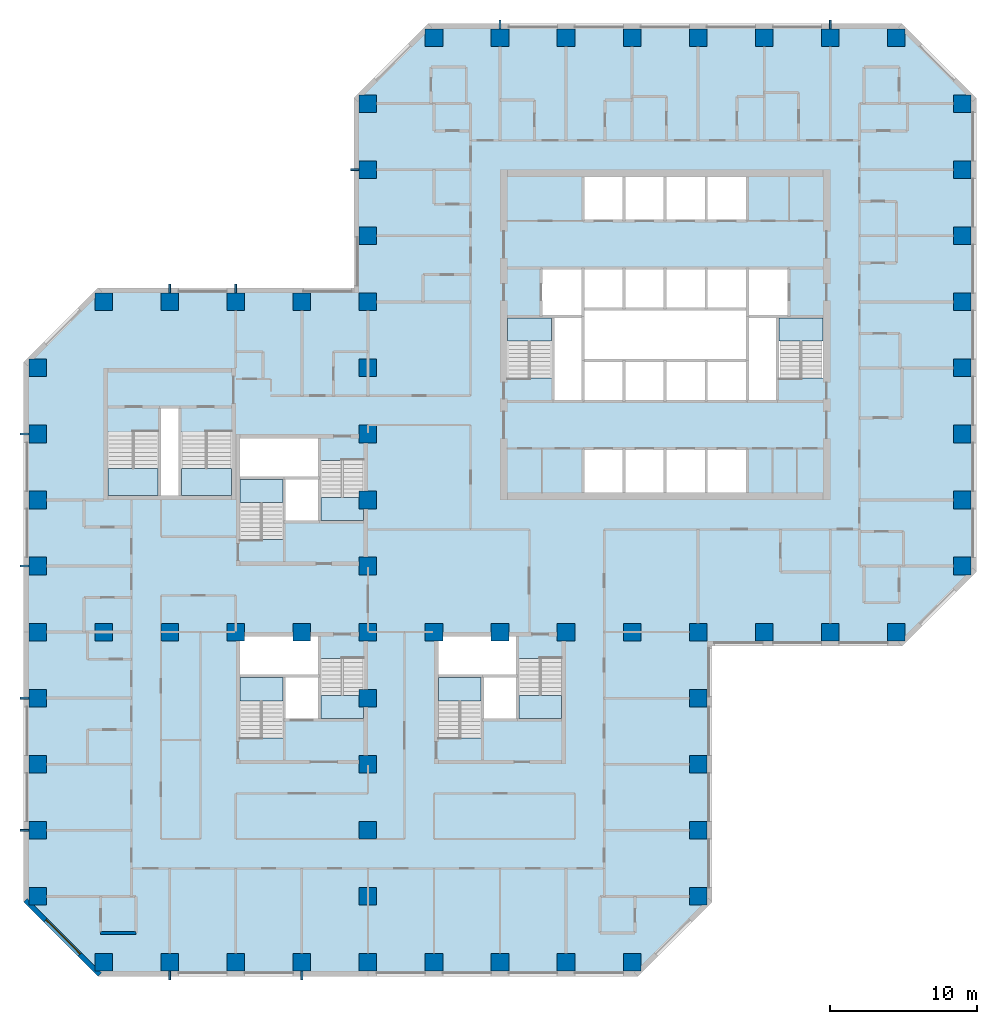
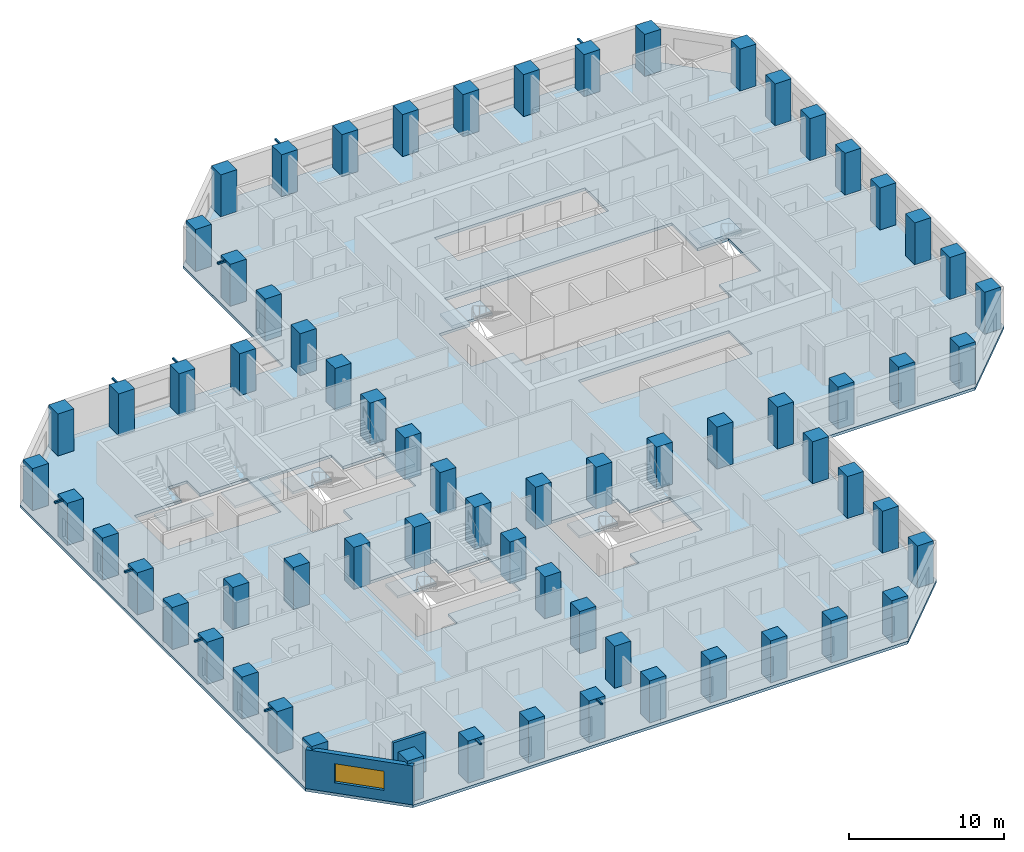
# One storey, part 1 of 13: 67 columns, 11 beams, 11 slabs, 2 walls, 1 window, 1 opening, 10 elements without a shape of their own.
"""IFC4 building model written with IfcOpenShell, lengths in metres."""

from ifc_helpers import new_model, si_unit, direction, frame, frame_2d, origin, origin_2d, place, context, subcontext, project, spatial, polyline, rectangle, hollow_rectangle, outline, extrude, material, layer, layer_set, constituent, constituent_set, material_profile, profile_set, type_object, element, fill, aggregate, save


model = new_model("IFC4")

# Units and contexts
model_context = context("Model", 3, precision=1e-05, world=origin(), true_north=direction((0.0, 1.0)))
body_context = subcontext(model_context, "Body", "Model", "MODEL_VIEW")
ifc_project = project(units=[si_unit("LENGTHUNIT", "METRE"), si_unit("AREAUNIT", "SQUARE_METRE"), si_unit("VOLUMEUNIT", "CUBIC_METRE"), si_unit("PLANEANGLEUNIT", "RADIAN"), si_unit("MASSUNIT", "GRAM", prefix="KILO")], contexts=[model_context])

# Site, building, storey
site_placement = place(None, origin())
site = spatial("IfcSite", under=ifc_project, at=site_placement, CompositionType="ELEMENT")
building_placement = place(site_placement, origin())
building = spatial("IfcBuilding", under=site, at=building_placement, Name="Quoin Convention Tower", CompositionType="ELEMENT")
storey_placement = place(building_placement, frame((0.0, 0.0, 23.10009765625)))
storey = spatial("IfcBuildingStorey", under=building, at=storey_placement, Name="L04", CompositionType="ELEMENT", Elevation=23.10009765625)

# Columns
ifc_material_1 = material(Name="Concrete C80", Category="concrete")
ifc_material_profile_1 = material_profile(ifc_material_1, rectangle(XDim=1.199951171875, YDim=1.199951171875, at=origin_2d()), Name="RC 1200x1200")
ifc_profile_set_1 = profile_set([ifc_material_profile_1], Name="Concrete C80")
column_type = type_object("IfcColumnType", Name="RC 1200x1200 C80", PredefinedType="COLUMN", material=ifc_profile_set_1)
for number, where, z_axis, x_axis, name in (
    (1, (18.0, 18.0, 0.0), (0.0, 0.0, 1.0), (1.0, 0.0, 0.0), "col-L04-18000_18000"),
    (2, (22.5, 18.0, 0.0), (0.0, 0.0, 1.0), (1.0, 0.0, 0.0), "col-L04-22500_18000"),
    (3, (27.0, 18.0, 0.0), (0.0, 0.0, 1.0), (1.0, 0.0, 0.0), "col-L04-27000_18000"),
    (4, (31.5, 18.0, 0.0), (0.0, 0.0, 1.0), (1.0, 0.0, 0.0), "col-L04-31500_18000"),
    (5, (36.0, 18.0, 0.0), (0.0, 0.0, 1.0), (1.0, 0.0, 0.0), "col-L04-36000_18000"),
    (6, (40.5, 18.0, 0.0), (0.0, 0.0, 1.0), (1.0, 0.0, 0.0), "col-L04-40500_18000"),
    (7, (45.0, 18.0, 0.0), (0.0, 0.0, 1.0), (1.0, 0.0, 0.0), "col-L04-45000_18000"),
    (8, (49.5, 18.0, 0.0), (0.0, 0.0, 1.0), (1.0, 0.0, 0.0), "col-L04-49500_18000"),
    (9, (54.0, 18.0, 0.0), (0.0, 0.0, 1.0), (1.0, 0.0, 0.0), "col-L04-54000_18000"),
    (10, (13.5, 22.5, 0.0), (0.0, 0.0, 1.0), (1.0, 0.0, 0.0), "col-L04-13500_22500"),
    (11, (36.0, 22.5, 0.0), (0.0, 0.0, 1.0), (1.0, 0.0, 0.0), "web-L04-36000_22500"),
    (12, (58.5, 22.5, 0.0), (0.0, 0.0, 1.0), (1.0, 0.0, 0.0), "col-L04-58500_22500"),
    (13, (13.5, 27.0, 0.0), (0.0, 0.0, 1.0), (1.0, 0.0, 0.0), "col-L04-13500_27000"),
    (14, (36.0, 27.0, 0.0), (0.0, 0.0, 1.0), (1.0, 0.0, 0.0), "web-L04-36000_27000"),
    (15, (58.5, 27.0, 0.0), (0.0, 0.0, 1.0), (1.0, 0.0, 0.0), "col-L04-58500_27000"),
    (16, (13.5, 31.5, 0.0), (0.0, 0.0, 1.0), (1.0, 0.0, 0.0), "col-L04-13500_31500"),
    (17, (36.0, 31.5, 0.0), (0.0, 0.0, 1.0), (1.0, 0.0, 0.0), "web-L04-36000_31500"),
    (18, (58.5, 31.5, 0.0), (0.0, 0.0, 1.0), (1.0, 0.0, 0.0), "col-L04-58500_31500"),
    (19, (13.5, 36.0, 0.0), (0.0, 0.0, 1.0), (1.0, 0.0, 0.0), "col-L04-13500_36000"),
    (20, (36.0, 36.0, 0.0), (0.0, 0.0, 1.0), (1.0, 0.0, 0.0), "web-L04-36000_36000"),
    (21, (58.5, 36.0, 0.0), (0.0, 0.0, 1.0), (1.0, 0.0, 0.0), "col-L04-58500_36000"),
    (22, (13.5, 40.5, 0.0), (0.0, 0.0, 1.0), (1.0, 0.0, 0.0), "col-L04-13500_40500"),
    (23, (18.0, 40.5, 0.0), (0.0, 0.0, 1.0), (1.0, 0.0, 0.0), "web-L04-18000_40500"),
    (24, (22.5, 40.5, 0.0), (0.0, 0.0, 1.0), (1.0, 0.0, 0.0), "web-L04-22500_40500"),
    (25, (27.0, 40.5, 0.0), (0.0, 0.0, 1.0), (1.0, 0.0, 0.0), "web-L04-27000_40500"),
    (26, (31.5, 40.5, 0.0), (0.0, 0.0, 1.0), (1.0, 0.0, 0.0), "web-L04-31500_40500"),
    (27, (36.0, 40.5, 0.0), (0.0, 0.0, 1.0), (1.0, 0.0, 0.0), "web-L04-36000_40500"),
    (28, (40.5, 40.5, 0.0), (0.0, 0.0, 1.0), (1.0, 0.0, 0.0), "web-L04-40500_40500"),
    (29, (45.0, 40.5, 0.0), (0.0, 0.0, 1.0), (1.0, 0.0, 0.0), "web-L04-45000_40500"),
    (30, (49.5, 40.5, 0.0), (0.0, 0.0, 1.0), (1.0, 0.0, 0.0), "web-L04-49500_40500"),
    (31, (54.0, 40.5, 0.0), (0.0, 0.0, 1.0), (1.0, 0.0, 0.0), "web-L04-54000_40500"),
    (32, (58.5, 40.5, 0.0), (0.0, 0.0, 1.0), (1.0, 0.0, 0.0), "col-L04-58500_40500"),
    (33, (63.0, 40.5, 0.0), (0.0, 0.0, 1.0), (1.0, 0.0, 0.0), "col-L04-63000_40500"),
    (34, (67.5, 40.5, 0.0), (0.0, 0.0, 1.0), (1.0, 0.0, 0.0), "col-L04-67500_40500"),
    (35, (72.0, 40.5, 0.0), (0.0, 0.0, 1.0), (1.0, 0.0, 0.0), "col-L04-72000_40500"),
    (36, (13.5, 45.0, 0.0), (0.0, 0.0, 1.0), (1.0, 0.0, 0.0), "col-L04-13500_45000"),
    (37, (36.0, 45.0, 0.0), (0.0, 0.0, 1.0), (1.0, 0.0, 0.0), "web-L04-36000_45000"),
    (38, (76.5, 45.0, 0.0), (0.0, 0.0, 1.0), (1.0, 0.0, 0.0), "col-L04-76500_45000"),
    (39, (13.5, 49.5, 0.0), (0.0, 0.0, 1.0), (1.0, 0.0, 0.0), "col-L04-13500_49500"),
    (40, (36.0, 49.5, 0.0), (0.0, 0.0, 1.0), (1.0, 0.0, 0.0), "web-L04-36000_49500"),
    (41, (76.5, 49.5, 0.0), (0.0, 0.0, 1.0), (1.0, 0.0, 0.0), "col-L04-76500_49500"),
    (42, (13.5, 54.0, 0.0), (0.0, 0.0, 1.0), (1.0, 0.0, 0.0), "col-L04-13500_54000"),
    (43, (36.0, 54.0, 0.0), (0.0, 0.0, 1.0), (1.0, 0.0, 0.0), "web-L04-36000_54000"),
    (44, (76.5, 54.0, 0.0), (0.0, 0.0, 1.0), (1.0, 0.0, 0.0), "col-L04-76500_54000"),
    (45, (13.5, 58.5, 0.0), (0.0, 0.0, 1.0), (1.0, 0.0, 0.0), "col-L04-13500_58500"),
    (46, (36.0, 58.5, 0.0), (0.0, 0.0, 1.0), (1.0, 0.0, 0.0), "web-L04-36000_58500"),
    (47, (76.5, 58.5, 0.0), (0.0, 0.0, 1.0), (1.0, 0.0, 0.0), "col-L04-76500_58500"),
    (48, (18.0, 63.0, 0.0), (0.0, 0.0, 1.0), (1.0, 0.0, 0.0), "col-L04-18000_63000"),
    (49, (22.5, 63.0, 0.0), (0.0, 0.0, 1.0), (1.0, 0.0, 0.0), "col-L04-22500_63000"),
    (50, (27.0, 63.0, 0.0), (0.0, 0.0, 1.0), (1.0, 0.0, 0.0), "col-L04-27000_63000"),
    (51, (31.5, 63.0, 0.0), (0.0, 0.0, 1.0), (1.0, 0.0, 0.0), "col-L04-31500_63000"),
    (52, (36.0, 63.0, 0.0), (0.0, 0.0, 1.0), (1.0, 0.0, 0.0), "col-L04-36000_63000"),
    (53, (76.5, 63.0, 0.0), (0.0, 0.0, 1.0), (1.0, 0.0, 0.0), "col-L04-76500_63000"),
    (54, (36.0, 67.5, 0.0), (0.0, 0.0, 1.0), (1.0, 0.0, 0.0), "col-L04-36000_67500"),
    (55, (76.5, 67.5, 0.0), (0.0, 0.0, 1.0), (1.0, 0.0, 0.0), "col-L04-76500_67500"),
    (56, (36.0, 72.0, 0.0), (0.0, 0.0, 1.0), (1.0, 0.0, 0.0), "col-L04-36000_72000"),
    (57, (76.5, 72.0, 0.0), (0.0, 0.0, 1.0), (1.0, 0.0, 0.0), "col-L04-76500_72000"),
    (58, (36.0, 76.5, 0.0), (0.0, 0.0, 1.0), (1.0, 0.0, 0.0), "col-L04-36000_76500"),
    (59, (76.5, 76.5, 0.0), (0.0, 0.0, 1.0), (1.0, 0.0, 0.0), "col-L04-76500_76500"),
    (60, (40.5, 81.0, 0.0), (0.0, 0.0, 1.0), (1.0, 0.0, 0.0), "col-L04-40500_81000"),
    (61, (45.0, 81.0, 0.0), (0.0, 0.0, 1.0), (1.0, 0.0, 0.0), "col-L04-45000_81000"),
    (62, (49.5, 81.0, 0.0), (0.0, 0.0, 1.0), (1.0, 0.0, 0.0), "col-L04-49500_81000"),
    (63, (54.0, 81.0, 0.0), (0.0, 0.0, 1.0), (1.0, 0.0, 0.0), "col-L04-54000_81000"),
    (64, (58.5, 81.0, 0.0), (0.0, 0.0, 1.0), (1.0, 0.0, 0.0), "col-L04-58500_81000"),
    (65, (63.0, 81.0, 0.0), (0.0, 0.0, 1.0), (1.0, 0.0, 0.0), "col-L04-63000_81000"),
    (66, (67.5, 81.0, 0.0), (0.0, 0.0, 1.0), (1.0, 0.0, 0.0), "col-L04-67500_81000"),
    (67, (72.0, 81.0, 0.0), (0.0, 0.0, 1.0), (1.0, 0.0, 0.0), "col-L04-72000_81000"),
):
    element("IfcColumn", number, at=place(storey_placement, frame(where, z_axis=z_axis, x_axis=x_axis)), inside=storey, type_object=column_type, Name=name, PredefinedType="COLUMN", context=body_context, shape_type="SweptSolid", body=[
        extrude(rectangle(XDim=1.199951171875, YDim=1.199951171875, at=origin_2d()), origin(), (0.0, 0.0, 1.0), 3.2998046875),
    ])

# Beams
ifc_material_2 = material(Name="Steel C450L0", Category="steel")
ifc_material_profile_2 = material_profile(ifc_material_2, hollow_rectangle(XDim=0.14990234375, YDim=0.14990234375, WallThickness=0.008056640625, InnerFilletRadius=0.011962890625, OuterFilletRadius=0.02001953125, at=origin_2d()), Name="150x150x8.0SHS")
ifc_profile_set_2 = profile_set([ifc_material_profile_2], Name="Steel C450L0")
beam_type = type_object("IfcBeamType", Name="150x150x8.0SHS", PredefinedType="BEAM", material=ifc_profile_set_2)
for number, where, z_axis, x_axis, name in (
    (68, (12.89990234375, 36.0, 3.224853515625), (-1.0, 0.0, 0.0), (0.0, -1.0, 0.0), "brk-hi-L01-13500_40500-13500_36000"),
    (69, (12.89990234375, 27.0, 3.224853515625), (-1.0, 0.0, 0.0), (0.0, -1.0, 0.0), "brk-hi-L01-13500_27000-13500_22500"),
    (70, (12.89990234375, 54.0, 3.224853515625), (-1.0, 0.0, 0.0), (0.0, -1.0, 0.0), "brk-hi-L01-13500_58500-13500_54000"),
    (71, (12.89990234375, 45.0, 3.224853515625), (-1.0, 0.0, 0.0), (0.0, -1.0, 0.0), "brk-hi-L01-13500_45000-13500_40500"),
    (72, (22.5, 17.39990234375, 3.224853515625), (0.0, -1.0, 0.0), (1.0, 0.0, 0.0), "brk-hi-L01-18000_18000-22500_18000"),
    (73, (31.5, 17.39990234375, 3.224853515625), (0.0, -1.0, 0.0), (1.0, 0.0, 0.0), "brk-hi-L01-31500_18000-36000_18000"),
    (74, (27.0, 63.60009765625, 3.224853515625), (0.0, 1.0, 0.0), (-1.0, 0.0, 0.0), "brk-hi-L01-31500_63000-27000_63000"),
    (75, (22.5, 63.60009765625, 3.224853515625), (0.0, 1.0, 0.0), (-1.0, 0.0, 0.0), "brk-hi-L01-22500_63000-18000_63000"),
    (76, (35.39990234375, 72.0, 3.224853515625), (-1.0, 0.0, 0.0), (0.0, -1.0, 0.0), "brk-hi-L01-36000_76500-36000_72000"),
    (77, (67.5, 81.60009765625, 3.224853515625), (0.0, 1.0, 0.0), (-1.0, 0.0, 0.0), "brk-hi-L01-72000_81000-67500_81000"),
    (78, (45.0, 81.60009765625, 3.224853515625), (0.0, 1.0, 0.0), (-1.0, 0.0, 0.0), "brk-hi-L01-45000_81000-40500_81000"),
):
    element("IfcBeam", number, at=place(storey_placement, frame(where, z_axis=z_axis, x_axis=x_axis)), inside=storey, type_object=beam_type, Name=name, PredefinedType="BEAM", context=body_context, shape_type="SweptSolid", body=[
        extrude(hollow_rectangle(XDim=0.14990234375, YDim=0.14990234375, WallThickness=0.008056640625, InnerFilletRadius=0.011962890625, OuterFilletRadius=0.02001953125, at=origin_2d()), origin(), (0.0, 0.0, 1.0), 0.599853515625),
    ])

# Slab
ifc_material_3 = material(Name="Concrete C50", Category="concrete")
ifc_layer_1 = layer(ifc_material_3, 0.219970703125)
ifc_layer_set_1 = layer_set([ifc_layer_1], Name="Concrete C50")
slab_type_1 = type_object("IfcSlabType", Name="RC SLAB 220 C50", PredefinedType="FLOOR", material=ifc_layer_set_1)
slab_1_placement = place(storey_placement, frame((0.0, 0.0, -0.22021484375)))
element("IfcSlab", 79, at=slab_1_placement, inside=storey, type_object=slab_type_1, Name="slb-L04", PredefinedType="FLOOR", context=body_context, shape_type="SweptSolid", body=[
    extrude(outline(polyline([(12.550048828125, 58.8935546875), (17.6064453125, 63.949951171875), (35.050048828125, 63.949951171875), (35.050048828125, 76.8935546875), (40.1064453125, 81.949951171875), (72.3935546875, 81.949951171875), (77.449951171875, 76.8935546875), (77.449951171875, 44.6064453125), (72.3935546875, 39.550048828125), (59.449951171875, 39.550048828125), (59.449951171875, 22.1064453125), (54.3935546875, 17.050048828125), (17.6064453125, 17.050048828125), (12.550048828125, 22.1064453125), (12.550048828125, 58.8935546875)]), holes=[polyline([(30.300048828125, 33.300537109375), (30.300048828125, 34.5), (32.699951171875, 34.5), (35.699951171875, 34.5), (35.699951171875, 38.699462890625), (32.699951171875, 38.699462890625), (32.699951171875, 40.199951171875), (27.300048828125, 40.199951171875), (27.300048828125, 37.5), (27.300048828125, 33.300537109375), (30.300048828125, 33.300537109375)]), polyline([(43.800048828125, 33.300537109375), (43.800048828125, 34.5), (46.199951171875, 34.5), (49.199951171875, 34.5), (49.199951171875, 38.699462890625), (46.199951171875, 38.699462890625), (46.199951171875, 40.199951171875), (40.800048828125, 40.199951171875), (40.800048828125, 37.5), (40.800048828125, 33.300537109375), (43.800048828125, 33.300537109375)]), polyline([(27.300048828125, 46.800537109375), (30.300048828125, 46.800537109375), (30.300048828125, 48.0), (32.699951171875, 48.0), (35.699951171875, 48.0), (35.699951171875, 52.199462890625), (32.699951171875, 52.199462890625), (32.699951171875, 53.699951171875), (27.300048828125, 53.699951171875), (27.300048828125, 51.0), (27.300048828125, 46.800537109375)]), polyline([(53.449951171875, 50.0), (56.25, 50.0), (59.050048828125, 50.0), (61.85009765625, 50.0), (61.85009765625, 53.0), (59.050048828125, 53.0), (56.25, 53.0), (53.449951171875, 53.0), (50.64990234375, 53.0), (50.64990234375, 50.0), (53.449951171875, 50.0)]), polyline([(23.199951171875, 49.800048828125), (26.699951171875, 49.800048828125), (26.699951171875, 54.1494140625), (23.199951171875, 54.1494140625), (23.199951171875, 55.85009765625), (21.800048828125, 55.85009765625), (21.800048828125, 54.1494140625), (18.300048828125, 54.1494140625), (18.300048828125, 49.800048828125), (21.800048828125, 49.800048828125), (23.199951171875, 49.800048828125)]), polyline([(45.5, 57.800537109375), (48.60009765625, 57.800537109375), (48.60009765625, 56.199951171875), (50.64990234375, 56.199951171875), (53.449951171875, 56.199951171875), (56.25, 56.199951171875), (59.050048828125, 56.199951171875), (61.85009765625, 56.199951171875), (63.89990234375, 56.199951171875), (63.89990234375, 57.800537109375), (67.0, 57.800537109375), (67.0, 62.0), (64.699951171875, 62.0), (64.699951171875, 65.300048828125), (61.85009765625, 65.300048828125), (59.050048828125, 65.300048828125), (56.25, 65.300048828125), (53.449951171875, 65.300048828125), (50.64990234375, 65.300048828125), (47.800048828125, 65.300048828125), (47.800048828125, 62.0), (45.5, 62.0), (45.5, 57.800537109375)]), polyline([(59.050048828125, 68.5), (61.85009765625, 68.5), (61.85009765625, 71.5), (59.050048828125, 71.5), (56.25, 71.5), (53.449951171875, 71.5), (50.64990234375, 71.5), (50.64990234375, 68.5), (53.449951171875, 68.5), (56.25, 68.5), (59.050048828125, 68.5)])]), origin(), (0.0, 0.0, 1.0), 0.22021484375),
])

# Stair, slab
ifc_material_4 = material(Name="Concrete C40", Category="concrete")
stair_type_1 = type_object("IfcStairType", Name="Exit stair two-flight 1350", PredefinedType="HALF_TURN_STAIR", material=ifc_material_4)
stair_1_placement = place(storey_placement, origin())
stair_1 = element("IfcStair", 80, at=stair_1_placement, inside=storey, type_object=stair_type_1, Name="SD1 L04", PredefinedType="HALF_TURN_STAIR")
ifc_layer_2 = layer(ifc_material_4, 0.199951171875)
ifc_layer_set_2 = layer_set([ifc_layer_2], Name="Concrete C40")
slab_type_2 = type_object("IfcSlabType", Name="Stair landing 200", PredefinedType="LANDING", material=ifc_layer_set_2)
slab_2_placement = place(storey_placement, frame((0.0, 0.0, 1.449951171875)))
slab_2 = element("IfcSlab", 81, at=slab_2_placement, type_object=slab_type_2, Name="ST1 landing 1", PredefinedType="LANDING", context=body_context, shape_type="SweptSolid", body=[
    extrude(outline(polyline([(45.5, 60.320068359375), (48.5, 60.320068359375), (48.5, 61.89990234375), (45.5, 61.89990234375), (45.5, 60.320068359375)])), origin(), (0.0, 0.0, 1.0), 0.199951171875),
])
aggregate(stair_1, [slab_2])

stair_2_placement = place(storey_placement, origin())
stair_2 = element("IfcStair", 82, at=stair_2_placement, inside=storey, type_object=stair_type_1, Name="SD2 L04", PredefinedType="HALF_TURN_STAIR")
slab_3_placement = place(storey_placement, frame((0.0, 0.0, 1.449951171875)))
slab_3 = element("IfcSlab", 83, at=slab_3_placement, type_object=slab_type_2, Name="ST2 landing 1", PredefinedType="LANDING", context=body_context, shape_type="SweptSolid", body=[
    extrude(outline(polyline([(64.0, 60.320068359375), (67.0, 60.320068359375), (67.0, 61.89990234375), (64.0, 61.89990234375), (64.0, 60.320068359375)])), origin(), (0.0, 0.0, 1.0), 0.199951171875),
])
aggregate(stair_2, [slab_3])

stair_3_placement = place(storey_placement, origin())
stair_3 = element("IfcStair", 84, at=stair_3_placement, inside=storey, type_object=stair_type_1, Name="SD3 L04", PredefinedType="HALF_TURN_STAIR")
slab_4_placement = place(storey_placement, frame((0.0, 0.0, 1.449951171875)))
slab_4 = element("IfcSlab", 85, at=slab_4_placement, type_object=slab_type_2, Name="ST3 landing 1", PredefinedType="LANDING", context=body_context, shape_type="SweptSolid", body=[
    extrude(outline(polyline([(27.300048828125, 49.320068359375), (30.199951171875, 49.320068359375), (30.199951171875, 50.89990234375), (27.300048828125, 50.89990234375), (27.300048828125, 49.320068359375)])), origin(), (0.0, 0.0, 1.0), 0.199951171875),
])
aggregate(stair_3, [slab_4])

stair_4_placement = place(storey_placement, origin())
stair_4 = element("IfcStair", 86, at=stair_4_placement, inside=storey, type_object=stair_type_1, Name="SD4 L04", PredefinedType="HALF_TURN_STAIR")
slab_5_placement = place(storey_placement, frame((0.0, 0.0, 1.449951171875)))
slab_5 = element("IfcSlab", 87, at=slab_5_placement, type_object=slab_type_2, Name="ST4 landing 1", PredefinedType="LANDING", context=body_context, shape_type="SweptSolid", body=[
    extrude(outline(polyline([(35.699951171875, 49.679931640625), (32.800048828125, 49.679931640625), (32.800048828125, 48.10009765625), (35.699951171875, 48.10009765625), (35.699951171875, 49.679931640625)])), origin(), (0.0, 0.0, 1.0), 0.199951171875),
])
aggregate(stair_4, [slab_5])

stair_5_placement = place(storey_placement, origin())
stair_5 = element("IfcStair", 88, at=stair_5_placement, inside=storey, type_object=stair_type_1, Name="SD5 L04", PredefinedType="HALF_TURN_STAIR")
slab_6_placement = place(storey_placement, frame((0.0, 0.0, 1.449951171875)))
slab_6 = element("IfcSlab", 89, at=slab_6_placement, type_object=slab_type_2, Name="ST5 landing 1", PredefinedType="LANDING", context=body_context, shape_type="SweptSolid", body=[
    extrude(outline(polyline([(40.800048828125, 35.820068359375), (43.699951171875, 35.820068359375), (43.699951171875, 37.39990234375), (40.800048828125, 37.39990234375), (40.800048828125, 35.820068359375)])), origin(), (0.0, 0.0, 1.0), 0.199951171875),
])
aggregate(stair_5, [slab_6])

stair_6_placement = place(storey_placement, origin())
stair_6 = element("IfcStair", 90, at=stair_6_placement, inside=storey, type_object=stair_type_1, Name="SD6 L04", PredefinedType="HALF_TURN_STAIR")
slab_7_placement = place(storey_placement, frame((0.0, 0.0, 1.449951171875)))
slab_7 = element("IfcSlab", 91, at=slab_7_placement, type_object=slab_type_2, Name="ST6 landing 1", PredefinedType="LANDING", context=body_context, shape_type="SweptSolid", body=[
    extrude(outline(polyline([(49.199951171875, 36.179931640625), (46.300048828125, 36.179931640625), (46.300048828125, 34.60009765625), (49.199951171875, 34.60009765625), (49.199951171875, 36.179931640625)])), origin(), (0.0, 0.0, 1.0), 0.199951171875),
])
aggregate(stair_6, [slab_7])

stair_7_placement = place(storey_placement, origin())
stair_7 = element("IfcStair", 92, at=stair_7_placement, inside=storey, type_object=stair_type_1, Name="SD7 L04", PredefinedType="HALF_TURN_STAIR")
slab_8_placement = place(storey_placement, frame((0.0, 0.0, 1.449951171875)))
slab_8 = element("IfcSlab", 93, at=slab_8_placement, type_object=slab_type_2, Name="ST7 landing 1", PredefinedType="LANDING", context=body_context, shape_type="SweptSolid", body=[
    extrude(outline(polyline([(27.300048828125, 35.820068359375), (30.199951171875, 35.820068359375), (30.199951171875, 37.39990234375), (27.300048828125, 37.39990234375), (27.300048828125, 35.820068359375)])), origin(), (0.0, 0.0, 1.0), 0.199951171875),
])
aggregate(stair_7, [slab_8])

stair_8_placement = place(storey_placement, origin())
stair_8 = element("IfcStair", 94, at=stair_8_placement, inside=storey, type_object=stair_type_1, Name="SD8 L04", PredefinedType="HALF_TURN_STAIR")
slab_9_placement = place(storey_placement, frame((0.0, 0.0, 1.449951171875)))
slab_9 = element("IfcSlab", 95, at=slab_9_placement, type_object=slab_type_2, Name="ST8 landing 1", PredefinedType="LANDING", context=body_context, shape_type="SweptSolid", body=[
    extrude(outline(polyline([(35.699951171875, 36.179931640625), (32.800048828125, 36.179931640625), (32.800048828125, 34.60009765625), (35.699951171875, 34.60009765625), (35.699951171875, 36.179931640625)])), origin(), (0.0, 0.0, 1.0), 0.199951171875),
])
aggregate(stair_8, [slab_9])

stair_type_2 = type_object("IfcStairType", Name="Exit stair two-flight 1600", PredefinedType="HALF_TURN_STAIR", material=ifc_material_4)
stair_9_placement = place(storey_placement, origin())
stair_9 = element("IfcStair", 96, at=stair_9_placement, inside=storey, type_object=stair_type_2, Name="SD11 L04", PredefinedType="HALF_TURN_STAIR")
slab_10_placement = place(storey_placement, frame((0.0, 0.0, 1.449951171875)))
slab_10 = element("IfcSlab", 97, at=slab_10_placement, type_object=slab_type_2, Name="ST11 landing 1", PredefinedType="LANDING", context=body_context, shape_type="SweptSolid", body=[
    extrude(outline(polyline([(21.699951171875, 51.6298828125), (18.300048828125, 51.6298828125), (18.300048828125, 49.800048828125), (21.699951171875, 49.800048828125), (21.699951171875, 51.6298828125)])), origin(), (0.0, 0.0, 1.0), 0.199951171875),
])
aggregate(stair_9, [slab_10])

stair_10_placement = place(storey_placement, origin())
stair_10 = element("IfcStair", 98, at=stair_10_placement, inside=storey, type_object=stair_type_2, Name="SD12 L04", PredefinedType="HALF_TURN_STAIR")
slab_11_placement = place(storey_placement, frame((0.0, 0.0, 1.449951171875)))
slab_11 = element("IfcSlab", 99, at=slab_11_placement, type_object=slab_type_2, Name="ST12 landing 1", PredefinedType="LANDING", context=body_context, shape_type="SweptSolid", body=[
    extrude(outline(polyline([(26.699951171875, 51.6298828125), (23.300048828125, 51.6298828125), (23.300048828125, 49.800048828125), (26.699951171875, 49.800048828125), (26.699951171875, 51.6298828125)])), origin(), (0.0, 0.0, 1.0), 0.199951171875),
])
aggregate(stair_10, [slab_11])

# Wall, opening, window
ifc_material_5 = material(Name="Brick masonry", Category="masonry")
ifc_layer_3 = layer(ifc_material_5, 0.35009765625)
ifc_layer_set_3 = layer_set([ifc_layer_3], Name="Brick masonry")
wall_type_1 = type_object("IfcWallType", Name="Brick facade wall", PredefinedType="STANDARD", material=ifc_layer_set_3)
wall_1_placement = place(storey_placement, frame((12.673583984375, 22.230224609375, 0.0), z_axis=(0.0, 0.0, 1.0), x_axis=(0.707106781187, -0.707106781187, 0.0)))
wall_1 = element("IfcWall", 100, at=wall_1_placement, inside=storey, type_object=wall_type_1, Name="fw-L04-13500_22500", PredefinedType="STANDARD", context=body_context, shape_type="SweptSolid", body=[
    extrude(rectangle(XDim=7.151123046875, YDim=0.35009765625, at=frame_2d((3.57568359375, 0.0))), origin(), (0.0, 0.0, 1.0), 3.054931640625),
])
opening_placement = place(wall_1_placement, frame((1.925537109375, 0.0, 0.800048828125)))
opening = element("IfcOpeningElement", 101, at=opening_placement, cuts=wall_1, Name="Opening W-01", PredefinedType="OPENING", context=body_context, shape_type="SweptSolid", body=[
    extrude(rectangle(XDim=3.300048828125, YDim=1.5, at=frame_2d((1.64990234375, 0.75))), frame((0.0, 0.18505859375, 0.0), z_axis=(0.0, -1.0, 0.0), x_axis=(1.0, 0.0, 0.0)), (0.0, 0.0, 1.0), 0.3701171875),
])
ifc_material_6 = material(Name="Aluminium", Category="aluminium")
ifc_constituent_1 = constituent(ifc_material_6, Name="Frame")
ifc_material_7 = material(Name="Insulated glass", Category="glass")
ifc_constituent_2 = constituent(ifc_material_7, Name="Glazing")
ifc_constituent_set = constituent_set(constituents=[ifc_constituent_1, ifc_constituent_2], Name="Aluminium")
window_type = type_object("IfcWindowType", Name="Hotel strip window", PartitioningType="DOUBLE_PANEL_VERTICAL", PredefinedType="WINDOW", material=ifc_constituent_set)
window_placement = place(opening_placement, origin())
window = element("IfcWindow", 102, at=window_placement, inside=storey, type_object=window_type, Name="win-L04-15202_19702", OverallHeight=1.5, OverallWidth=3.300048828125, PartitioningType="SINGLE_PANEL", PredefinedType="WINDOW", context=body_context, shape_type="SweptSolid", body=[
    extrude(rectangle(XDim=3.300048828125, YDim=1.5, at=frame_2d((1.64990234375, 0.75))), frame((0.0, 0.0849609375, 0.0), z_axis=(0.0, -1.0, 0.0), x_axis=(1.0, 0.0, 0.0)), (0.0, 0.0, 1.0), 0.06005859375),
])
fill(opening, window)

# Wall
ifc_layer_4 = layer(ifc_material_3, 0.199951171875)
ifc_layer_set_4 = layer_set([ifc_layer_4], Name="Concrete C50")
wall_type_2 = type_object("IfcWallType", Name="RC party wall", PredefinedType="SOLIDWALL", material=ifc_layer_set_4)
wall_2_placement = place(storey_placement, frame((17.800048828125, 20.0, 0.0), z_axis=(0.0, 0.0, 1.0), x_axis=(1.0, 0.0, 0.0)))
element("IfcWall", 103, at=wall_2_placement, inside=storey, type_object=wall_type_2, Name="pw-L04-040", PredefinedType="SOLIDWALL", context=body_context, shape_type="SweptSolid", body=[
    extrude(rectangle(XDim=2.39990234375, YDim=0.199951171875, at=frame_2d((1.199951171875, 0.0))), origin(), (0.0, 0.0, 1.0), 3.079833984375),
])

save(model, "model.ifc")
